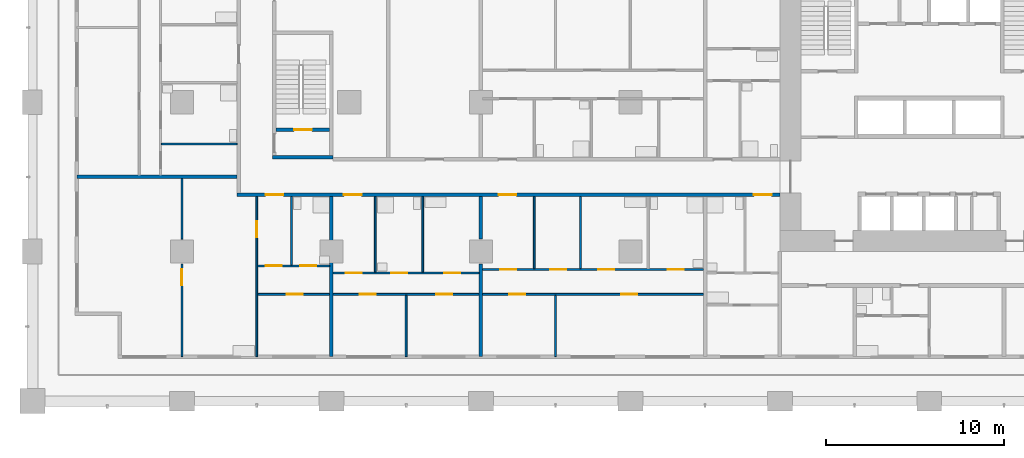
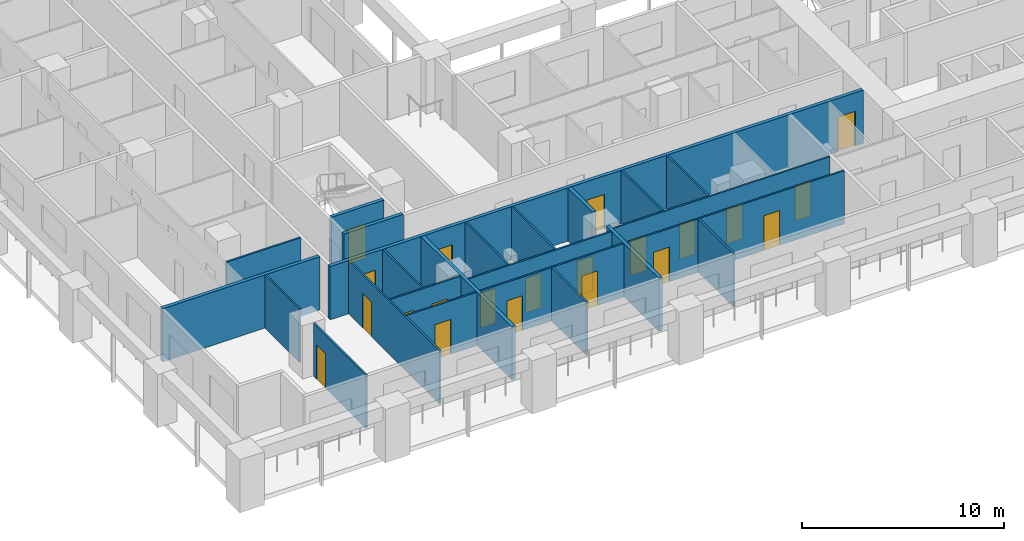
# One storey, part 2 of 19: 22 walls, 21 doors, 21 openings.
"""IFC4 building model written with IfcOpenShell, lengths in metres."""

from ifc_helpers import new_model, si_unit, direction, frame, frame_2d, origin, place, context, subcontext, project, spatial, rectangle, extrude, material, layer, layer_set, type_object, element, fill, save


model = new_model("IFC4")

# Units and contexts
model_context = context("Model", 3, precision=1e-05, world=origin(), true_north=direction((0.0, 1.0)))
body_context = subcontext(model_context, "Body", "Model", "MODEL_VIEW")
ifc_project = project(units=[si_unit("LENGTHUNIT", "METRE"), si_unit("AREAUNIT", "SQUARE_METRE"), si_unit("VOLUMEUNIT", "CUBIC_METRE"), si_unit("PLANEANGLEUNIT", "RADIAN"), si_unit("MASSUNIT", "GRAM", prefix="KILO")], contexts=[model_context])

# Site, building, storey
site_placement = place(None, origin())
site = spatial("IfcSite", under=ifc_project, at=site_placement, CompositionType="ELEMENT")
building_placement = place(site_placement, origin())
building = spatial("IfcBuilding", under=site, at=building_placement, Name="Vermilion Gate Residences", CompositionType="ELEMENT")
storey_placement = place(building_placement, frame((0.0, 0.0, 53.199951171875)))
storey = spatial("IfcBuildingStorey", under=building, at=storey_placement, Name="L12", CompositionType="ELEMENT", Elevation=53.199951171875)

# Wall, openings, doors
ifc_material_1 = material(Name="Plasterboard on steel studs", Category="steel")
ifc_layer_1 = layer(ifc_material_1, 0.10009765625)
ifc_layer_set_1 = layer_set([ifc_layer_1], Name="PARTITION 100")
wall_type_1 = type_object("IfcWallType", Name="PARTITION 100", PredefinedType="PARTITIONING", material=ifc_layer_set_1)
wall_1_placement = place(storey_placement, frame((12.64990234375, 6.0, 0.0), z_axis=(0.0, 0.0, 1.0), x_axis=(1.0, 0.0, 0.0)))
wall_1 = element("IfcWall", 1, at=wall_1_placement, inside=storey, type_object=wall_type_1, Name="Partition", PredefinedType="PARTITIONING", context=body_context, shape_type="SweptSolid", body=[
    extrude(rectangle(XDim=25.050048828125, YDim=0.10009765625, at=frame_2d((12.52490234375, 0.0))), origin(), (0.0, 0.0, 1.0), 3.219970703125),
])
opening_1_placement = place(wall_1_placement, frame((1.64990234375, 0.0, 0.0)))
opening_1 = element("IfcOpeningElement", 2, at=opening_1_placement, cuts=wall_1, Name="Opening DA10004", PredefinedType="OPENING", context=body_context, shape_type="SweptSolid", body=[
    extrude(rectangle(XDim=0.89990234375, YDim=2.10009765625, at=frame_2d((0.449951171875, 1.050048828125))), frame((0.0, 0.06005859375, 0.0), z_axis=(0.0, -1.0, 0.0), x_axis=(1.0, 0.0, 0.0)), (0.0, 0.0, 1.0), 0.1201171875),
])
opening_2_placement = place(wall_1_placement, frame((5.75, 0.0, 0.0)))
opening_2 = element("IfcOpeningElement", 3, at=opening_2_placement, cuts=wall_1, Name="Opening DA10005", PredefinedType="OPENING", context=body_context, shape_type="SweptSolid", body=[
    extrude(rectangle(XDim=0.89990234375, YDim=2.10009765625, at=frame_2d((0.449951171875, 1.050048828125))), frame((0.0, 0.06005859375, 0.0), z_axis=(0.0, -1.0, 0.0), x_axis=(1.0, 0.0, 0.0)), (0.0, 0.0, 1.0), 0.1201171875),
])
opening_3_placement = place(wall_1_placement, frame((10.050048828125, 0.0, 0.0)))
opening_3 = element("IfcOpeningElement", 4, at=opening_3_placement, cuts=wall_1, Name="Opening DA10006", PredefinedType="OPENING", context=body_context, shape_type="SweptSolid", body=[
    extrude(rectangle(XDim=0.89990234375, YDim=2.10009765625, at=frame_2d((0.449951171875, 1.050048828125))), frame((0.0, 0.06005859375, 0.0), z_axis=(0.0, -1.0, 0.0), x_axis=(1.0, 0.0, 0.0)), (0.0, 0.0, 1.0), 0.1201171875),
])
opening_4_placement = place(wall_1_placement, frame((14.14990234375, 0.0, 0.0)))
opening_4 = element("IfcOpeningElement", 5, at=opening_4_placement, cuts=wall_1, Name="Opening DA10007", PredefinedType="OPENING", context=body_context, shape_type="SweptSolid", body=[
    extrude(rectangle(XDim=0.89990234375, YDim=2.10009765625, at=frame_2d((0.449951171875, 1.050048828125))), frame((0.0, 0.06005859375, 0.0), z_axis=(0.0, -1.0, 0.0), x_axis=(1.0, 0.0, 0.0)), (0.0, 0.0, 1.0), 0.1201171875),
])
opening_5_placement = place(wall_1_placement, frame((20.449951171875, 0.0, 0.0)))
opening_5 = element("IfcOpeningElement", 6, at=opening_5_placement, cuts=wall_1, Name="Opening DA10008", PredefinedType="OPENING", context=body_context, shape_type="SweptSolid", body=[
    extrude(rectangle(XDim=0.89990234375, YDim=2.10009765625, at=frame_2d((0.449951171875, 1.050048828125))), frame((0.0, 0.06005859375, 0.0), z_axis=(0.0, -1.0, 0.0), x_axis=(1.0, 0.0, 0.0)), (0.0, 0.0, 1.0), 0.1201171875),
])
ifc_material_2 = material(Name="Timber", Category="wood")
door_type_1 = type_object("IfcDoorType", Name="INTERIOR DOOR 900 X 2100", OperationType="SINGLE_SWING_LEFT", PredefinedType="DOOR", material=ifc_material_2)
door_1_placement = place(opening_1_placement, frame((0.89990234375, 0.0, 0.0), z_axis=(0.0, 0.0, 1.0), x_axis=(-1.0, 0.0, 0.0)))
door_1 = element("IfcDoor", 7, at=door_1_placement, inside=storey, type_object=door_type_1, Name="Interior door", OperationType="SINGLE_SWING_LEFT", OverallHeight=2.10009765625, OverallWidth=0.89990234375, PredefinedType="DOOR", context=body_context, shape_type="SweptSolid", body=[
    extrude(rectangle(XDim=0.89990234375, YDim=2.10009765625, at=frame_2d((0.449951171875, 1.050048828125))), frame((0.0, 0.02490234375, 0.0), z_axis=(0.0, -1.0, 0.0), x_axis=(1.0, 0.0, 0.0)), (0.0, 0.0, 1.0), 0.050048828125),
])
fill(opening_1, door_1)
door_2_placement = place(opening_2_placement, frame((0.89990234375, 0.0, 0.0), z_axis=(0.0, 0.0, 1.0), x_axis=(-1.0, 0.0, 0.0)))
door_2 = element("IfcDoor", 8, at=door_2_placement, inside=storey, type_object=door_type_1, Name="Interior door", OperationType="SINGLE_SWING_RIGHT", OverallHeight=2.10009765625, OverallWidth=0.89990234375, PredefinedType="DOOR", context=body_context, shape_type="SweptSolid", body=[
    extrude(rectangle(XDim=0.89990234375, YDim=2.10009765625, at=frame_2d((0.449951171875, 1.050048828125))), frame((0.0, 0.02490234375, 0.0), z_axis=(0.0, -1.0, 0.0), x_axis=(1.0, 0.0, 0.0)), (0.0, 0.0, 1.0), 0.050048828125),
])
fill(opening_2, door_2)
door_3_placement = place(opening_3_placement, frame((0.89990234375, 0.0, 0.0), z_axis=(0.0, 0.0, 1.0), x_axis=(-1.0, 0.0, 0.0)))
door_3 = element("IfcDoor", 9, at=door_3_placement, inside=storey, type_object=door_type_1, Name="Interior door", OperationType="SINGLE_SWING_LEFT", OverallHeight=2.10009765625, OverallWidth=0.89990234375, PredefinedType="DOOR", context=body_context, shape_type="SweptSolid", body=[
    extrude(rectangle(XDim=0.89990234375, YDim=2.10009765625, at=frame_2d((0.449951171875, 1.050048828125))), frame((0.0, 0.02490234375, 0.0), z_axis=(0.0, -1.0, 0.0), x_axis=(1.0, 0.0, 0.0)), (0.0, 0.0, 1.0), 0.050048828125),
])
fill(opening_3, door_3)
door_4_placement = place(opening_4_placement, frame((0.89990234375, 0.0, 0.0), z_axis=(0.0, 0.0, 1.0), x_axis=(-1.0, 0.0, 0.0)))
door_4 = element("IfcDoor", 10, at=door_4_placement, inside=storey, type_object=door_type_1, Name="Interior door", OperationType="SINGLE_SWING_RIGHT", OverallHeight=2.10009765625, OverallWidth=0.89990234375, PredefinedType="DOOR", context=body_context, shape_type="SweptSolid", body=[
    extrude(rectangle(XDim=0.89990234375, YDim=2.10009765625, at=frame_2d((0.449951171875, 1.050048828125))), frame((0.0, 0.02490234375, 0.0), z_axis=(0.0, -1.0, 0.0), x_axis=(1.0, 0.0, 0.0)), (0.0, 0.0, 1.0), 0.050048828125),
])
fill(opening_4, door_4)
door_5_placement = place(opening_5_placement, frame((0.89990234375, 0.0, 0.0), z_axis=(0.0, 0.0, 1.0), x_axis=(-1.0, 0.0, 0.0)))
door_5 = element("IfcDoor", 11, at=door_5_placement, inside=storey, type_object=door_type_1, Name="Interior door", OperationType="SINGLE_SWING_RIGHT", OverallHeight=2.10009765625, OverallWidth=0.89990234375, PredefinedType="DOOR", context=body_context, shape_type="SweptSolid", body=[
    extrude(rectangle(XDim=0.89990234375, YDim=2.10009765625, at=frame_2d((0.449951171875, 1.050048828125))), frame((0.0, 0.02490234375, 0.0), z_axis=(0.0, -1.0, 0.0), x_axis=(1.0, 0.0, 0.0)), (0.0, 0.0, 1.0), 0.050048828125),
])
fill(opening_5, door_5)

wall_2_placement = place(storey_placement, frame((16.89990234375, 7.199951171875, 0.0), z_axis=(0.0, 0.0, 1.0), x_axis=(1.0, 0.0, 0.0)))
wall_2 = element("IfcWall", 12, at=wall_2_placement, inside=storey, type_object=wall_type_1, Name="Partition", PredefinedType="PARTITIONING", context=body_context, shape_type="SweptSolid", body=[
    extrude(rectangle(XDim=8.2001953125, YDim=0.10009765625, at=frame_2d((4.10009765625, 0.0))), origin(), (0.0, 0.0, 1.0), 3.219970703125),
])
opening_6_placement = place(wall_2_placement, frame((0.699951171875, 0.0, 0.0)))
opening_6 = element("IfcOpeningElement", 13, at=opening_6_placement, cuts=wall_2, Name="Opening DA10013", PredefinedType="OPENING", context=body_context, shape_type="SweptSolid", body=[
    extrude(rectangle(XDim=0.89990234375, YDim=2.10009765625, at=frame_2d((0.449951171875, 1.050048828125))), frame((0.0, 0.06005859375, 0.0), z_axis=(0.0, -1.0, 0.0), x_axis=(1.0, 0.0, 0.0)), (0.0, 0.0, 1.0), 0.1201171875),
])
opening_7_placement = place(wall_2_placement, frame((3.26708984375, 0.0, 0.0)))
opening_7 = element("IfcOpeningElement", 14, at=opening_7_placement, cuts=wall_2, Name="Opening DA10014", PredefinedType="OPENING", context=body_context, shape_type="SweptSolid", body=[
    extrude(rectangle(XDim=0.89990234375, YDim=2.10009765625, at=frame_2d((0.449951171875, 1.050048828125))), frame((0.0, 0.06005859375, 0.0), z_axis=(0.0, -1.0, 0.0), x_axis=(1.0, 0.0, 0.0)), (0.0, 0.0, 1.0), 0.1201171875),
])
opening_8_placement = place(wall_2_placement, frame((6.23291015625, 0.0, 0.0)))
opening_8 = element("IfcOpeningElement", 15, at=opening_8_placement, cuts=wall_2, Name="Opening DA10015", PredefinedType="OPENING", context=body_context, shape_type="SweptSolid", body=[
    extrude(rectangle(XDim=0.89990234375, YDim=2.10009765625, at=frame_2d((0.449951171875, 1.050048828125))), frame((0.0, 0.06005859375, 0.0), z_axis=(0.0, -1.0, 0.0), x_axis=(1.0, 0.0, 0.0)), (0.0, 0.0, 1.0), 0.1201171875),
])
door_6_placement = place(opening_6_placement, frame((0.89990234375, 0.0, 0.0), z_axis=(0.0, 0.0, 1.0), x_axis=(-1.0, 0.0, 0.0)))
door_6 = element("IfcDoor", 16, at=door_6_placement, inside=storey, type_object=door_type_1, Name="Interior door", OperationType="SINGLE_SWING_RIGHT", OverallHeight=2.10009765625, OverallWidth=0.89990234375, PredefinedType="DOOR", context=body_context, shape_type="SweptSolid", body=[
    extrude(rectangle(XDim=0.89990234375, YDim=2.10009765625, at=frame_2d((0.449951171875, 1.050048828125))), frame((0.0, 0.02490234375, 0.0), z_axis=(0.0, -1.0, 0.0), x_axis=(1.0, 0.0, 0.0)), (0.0, 0.0, 1.0), 0.050048828125),
])
fill(opening_6, door_6)
door_7_placement = place(opening_7_placement, origin())
door_7 = element("IfcDoor", 17, at=door_7_placement, inside=storey, type_object=door_type_1, Name="Interior door", OperationType="SINGLE_SWING_LEFT", OverallHeight=2.10009765625, OverallWidth=0.89990234375, PredefinedType="DOOR", context=body_context, shape_type="SweptSolid", body=[
    extrude(rectangle(XDim=0.89990234375, YDim=2.10009765625, at=frame_2d((0.449951171875, 1.050048828125))), frame((0.0, 0.02490234375, 0.0), z_axis=(0.0, -1.0, 0.0), x_axis=(1.0, 0.0, 0.0)), (0.0, 0.0, 1.0), 0.050048828125),
])
fill(opening_7, door_7)
door_8_placement = place(opening_8_placement, origin())
door_8 = element("IfcDoor", 18, at=door_8_placement, inside=storey, type_object=door_type_1, Name="Interior door", OperationType="SINGLE_SWING_RIGHT", OverallHeight=2.10009765625, OverallWidth=0.89990234375, PredefinedType="DOOR", context=body_context, shape_type="SweptSolid", body=[
    extrude(rectangle(XDim=0.89990234375, YDim=2.10009765625, at=frame_2d((0.449951171875, 1.050048828125))), frame((0.0, 0.02490234375, 0.0), z_axis=(0.0, -1.0, 0.0), x_axis=(1.0, 0.0, 0.0)), (0.0, 0.0, 1.0), 0.050048828125),
])
fill(opening_8, door_8)

wall_3_placement = place(storey_placement, frame((25.300048828125, 7.39990234375, 0.0), z_axis=(0.0, 0.0, 1.0), x_axis=(1.0, 0.0, 0.0)))
wall_3 = element("IfcWall", 19, at=wall_3_placement, inside=storey, type_object=wall_type_1, Name="Partition", PredefinedType="PARTITIONING", context=body_context, shape_type="SweptSolid", body=[
    extrude(rectangle(XDim=12.39990234375, YDim=0.10009765625, at=frame_2d((6.199951171875, 0.0))), origin(), (0.0, 0.0, 1.0), 3.219970703125),
])
opening_9_placement = place(wall_3_placement, frame((1.0, 0.0, 0.0)))
opening_9 = element("IfcOpeningElement", 20, at=opening_9_placement, cuts=wall_3, Name="Opening DA10018", PredefinedType="OPENING", context=body_context, shape_type="SweptSolid", body=[
    extrude(rectangle(XDim=0.89990234375, YDim=2.10009765625, at=frame_2d((0.449951171875, 1.050048828125))), frame((0.0, 0.06005859375, 0.0), z_axis=(0.0, -1.0, 0.0), x_axis=(1.0, 0.0, 0.0)), (0.0, 0.0, 1.0), 0.1201171875),
])
opening_10_placement = place(wall_3_placement, frame((3.800048828125, 0.0, 0.0)))
opening_10 = element("IfcOpeningElement", 21, at=opening_10_placement, cuts=wall_3, Name="Opening DA10019", PredefinedType="OPENING", context=body_context, shape_type="SweptSolid", body=[
    extrude(rectangle(XDim=0.89990234375, YDim=2.10009765625, at=frame_2d((0.449951171875, 1.050048828125))), frame((0.0, 0.06005859375, 0.0), z_axis=(0.0, -1.0, 0.0), x_axis=(1.0, 0.0, 0.0)), (0.0, 0.0, 1.0), 0.1201171875),
])
opening_11_placement = place(wall_3_placement, frame((6.5, 0.0, 0.0)))
opening_11 = element("IfcOpeningElement", 22, at=opening_11_placement, cuts=wall_3, Name="Opening DA10020", PredefinedType="OPENING", context=body_context, shape_type="SweptSolid", body=[
    extrude(rectangle(XDim=0.89990234375, YDim=2.10009765625, at=frame_2d((0.449951171875, 1.050048828125))), frame((0.0, 0.06005859375, 0.0), z_axis=(0.0, -1.0, 0.0), x_axis=(1.0, 0.0, 0.0)), (0.0, 0.0, 1.0), 0.1201171875),
])
opening_12_placement = place(wall_3_placement, frame((10.39990234375, 0.0, 0.0)))
opening_12 = element("IfcOpeningElement", 23, at=opening_12_placement, cuts=wall_3, Name="Opening DA10021", PredefinedType="OPENING", context=body_context, shape_type="SweptSolid", body=[
    extrude(rectangle(XDim=0.89990234375, YDim=2.10009765625, at=frame_2d((0.449951171875, 1.050048828125))), frame((0.0, 0.06005859375, 0.0), z_axis=(0.0, -1.0, 0.0), x_axis=(1.0, 0.0, 0.0)), (0.0, 0.0, 1.0), 0.1201171875),
])
door_9_placement = place(opening_9_placement, origin())
door_9 = element("IfcDoor", 24, at=door_9_placement, inside=storey, type_object=door_type_1, Name="Interior door", OperationType="SINGLE_SWING_RIGHT", OverallHeight=2.10009765625, OverallWidth=0.89990234375, PredefinedType="DOOR", context=body_context, shape_type="SweptSolid", body=[
    extrude(rectangle(XDim=0.89990234375, YDim=2.10009765625, at=frame_2d((0.449951171875, 1.050048828125))), frame((0.0, 0.02490234375, 0.0), z_axis=(0.0, -1.0, 0.0), x_axis=(1.0, 0.0, 0.0)), (0.0, 0.0, 1.0), 0.050048828125),
])
fill(opening_9, door_9)
door_10_placement = place(opening_10_placement, origin())
door_10 = element("IfcDoor", 25, at=door_10_placement, inside=storey, type_object=door_type_1, Name="Interior door", OperationType="SINGLE_SWING_RIGHT", OverallHeight=2.10009765625, OverallWidth=0.89990234375, PredefinedType="DOOR", context=body_context, shape_type="SweptSolid", body=[
    extrude(rectangle(XDim=0.89990234375, YDim=2.10009765625, at=frame_2d((0.449951171875, 1.050048828125))), frame((0.0, 0.02490234375, 0.0), z_axis=(0.0, -1.0, 0.0), x_axis=(1.0, 0.0, 0.0)), (0.0, 0.0, 1.0), 0.050048828125),
])
fill(opening_10, door_10)
door_11_placement = place(opening_11_placement, origin())
door_11 = element("IfcDoor", 26, at=door_11_placement, inside=storey, type_object=door_type_1, Name="Interior door", OperationType="SINGLE_SWING_LEFT", OverallHeight=2.10009765625, OverallWidth=0.89990234375, PredefinedType="DOOR", context=body_context, shape_type="SweptSolid", body=[
    extrude(rectangle(XDim=0.89990234375, YDim=2.10009765625, at=frame_2d((0.449951171875, 1.050048828125))), frame((0.0, 0.02490234375, 0.0), z_axis=(0.0, -1.0, 0.0), x_axis=(1.0, 0.0, 0.0)), (0.0, 0.0, 1.0), 0.050048828125),
])
fill(opening_11, door_11)
door_12_placement = place(opening_12_placement, origin())
door_12 = element("IfcDoor", 27, at=door_12_placement, inside=storey, type_object=door_type_1, Name="Interior door", OperationType="SINGLE_SWING_RIGHT", OverallHeight=2.10009765625, OverallWidth=0.89990234375, PredefinedType="DOOR", context=body_context, shape_type="SweptSolid", body=[
    extrude(rectangle(XDim=0.89990234375, YDim=2.10009765625, at=frame_2d((0.449951171875, 1.050048828125))), frame((0.0, 0.02490234375, 0.0), z_axis=(0.0, -1.0, 0.0), x_axis=(1.0, 0.0, 0.0)), (0.0, 0.0, 1.0), 0.050048828125),
])
fill(opening_12, door_12)

wall_4_placement = place(storey_placement, frame((12.64990234375, 7.60009765625, 0.0), z_axis=(0.0, 0.0, 1.0), x_axis=(1.0, 0.0, 0.0)))
wall_4 = element("IfcWall", 28, at=wall_4_placement, inside=storey, type_object=wall_type_1, Name="Partition", PredefinedType="PARTITIONING", context=body_context, shape_type="SweptSolid", body=[
    extrude(rectangle(XDim=4.050048828125, YDim=0.10009765625, at=frame_2d((2.02490234375, 0.0))), origin(), (0.0, 0.0, 1.0), 3.219970703125),
])
opening_13_placement = place(wall_4_placement, frame((0.449951171875, 0.0, 0.0)))
opening_13 = element("IfcOpeningElement", 29, at=opening_13_placement, cuts=wall_4, Name="Opening DA10022", PredefinedType="OPENING", context=body_context, shape_type="SweptSolid", body=[
    extrude(rectangle(XDim=0.89990234375, YDim=2.10009765625, at=frame_2d((0.449951171875, 1.050048828125))), frame((0.0, 0.06005859375, 0.0), z_axis=(0.0, -1.0, 0.0), x_axis=(1.0, 0.0, 0.0)), (0.0, 0.0, 1.0), 0.1201171875),
])
opening_14_placement = place(wall_4_placement, frame((2.409912109375, 0.0, 0.0)))
opening_14 = element("IfcOpeningElement", 30, at=opening_14_placement, cuts=wall_4, Name="Opening DA10023", PredefinedType="OPENING", context=body_context, shape_type="SweptSolid", body=[
    extrude(rectangle(XDim=0.89990234375, YDim=2.10009765625, at=frame_2d((0.449951171875, 1.050048828125))), frame((0.0, 0.06005859375, 0.0), z_axis=(0.0, -1.0, 0.0), x_axis=(1.0, 0.0, 0.0)), (0.0, 0.0, 1.0), 0.1201171875),
])
door_13_placement = place(opening_13_placement, frame((0.89990234375, 0.0, 0.0), z_axis=(0.0, 0.0, 1.0), x_axis=(-1.0, 0.0, 0.0)))
door_13 = element("IfcDoor", 31, at=door_13_placement, inside=storey, type_object=door_type_1, Name="Interior door", OperationType="SINGLE_SWING_RIGHT", OverallHeight=2.10009765625, OverallWidth=0.89990234375, PredefinedType="DOOR", context=body_context, shape_type="SweptSolid", body=[
    extrude(rectangle(XDim=0.89990234375, YDim=2.10009765625, at=frame_2d((0.449951171875, 1.050048828125))), frame((0.0, 0.02490234375, 0.0), z_axis=(0.0, -1.0, 0.0), x_axis=(1.0, 0.0, 0.0)), (0.0, 0.0, 1.0), 0.050048828125),
])
fill(opening_13, door_13)
door_14_placement = place(opening_14_placement, origin())
door_14 = element("IfcDoor", 32, at=door_14_placement, inside=storey, type_object=door_type_1, Name="Interior door", OperationType="SINGLE_SWING_RIGHT", OverallHeight=2.10009765625, OverallWidth=0.89990234375, PredefinedType="DOOR", context=body_context, shape_type="SweptSolid", body=[
    extrude(rectangle(XDim=0.89990234375, YDim=2.10009765625, at=frame_2d((0.449951171875, 1.050048828125))), frame((0.0, 0.02490234375, 0.0), z_axis=(0.0, -1.0, 0.0), x_axis=(1.0, 0.0, 0.0)), (0.0, 0.0, 1.0), 0.050048828125),
])
fill(opening_14, door_14)

# Wall
wall_5_placement = place(storey_placement, frame((7.25, 14.449951171875, 0.0), z_axis=(0.0, 0.0, 1.0), x_axis=(1.0, 0.0, 0.0)))
element("IfcWall", 33, at=wall_5_placement, inside=storey, type_object=wall_type_1, Name="Partition", PredefinedType="PARTITIONING", context=body_context, shape_type="SweptSolid", body=[
    extrude(rectangle(XDim=4.25, YDim=0.10009765625, at=frame_2d((2.125, 0.0))), origin(), (0.0, 0.0, 1.0), 3.219970703125),
])

# Wall, opening, door
wall_6_placement = place(storey_placement, frame((8.39990234375, 2.5, 0.0), z_axis=(0.0, 0.0, 1.0), x_axis=(0.0, 1.0, 0.0)))
wall_6 = element("IfcWall", 34, at=wall_6_placement, inside=storey, type_object=wall_type_1, Name="Partition", PredefinedType="PARTITIONING", context=body_context, shape_type="SweptSolid", body=[
    extrude(rectangle(XDim=5.199951171875, YDim=0.10009765625, at=frame_2d((2.60009765625, 0.0))), origin(), (0.0, 0.0, 1.0), 3.219970703125),
])
opening_15_placement = place(wall_6_placement, frame((4.0, 0.0, 0.0)))
opening_15 = element("IfcOpeningElement", 35, at=opening_15_placement, cuts=wall_6, Name="Opening DA10063", PredefinedType="OPENING", context=body_context, shape_type="SweptSolid", body=[
    extrude(rectangle(XDim=0.89990234375, YDim=2.10009765625, at=frame_2d((0.449951171875, 1.050048828125))), frame((0.0, 0.06005859375, 0.0), z_axis=(0.0, -1.0, 0.0), x_axis=(1.0, 0.0, 0.0)), (0.0, 0.0, 1.0), 0.1201171875),
])
door_15_placement = place(opening_15_placement, frame((0.89990234375, 0.0, 0.0), z_axis=(0.0, 0.0, 1.0), x_axis=(-1.0, 0.0, 0.0)))
door_15 = element("IfcDoor", 36, at=door_15_placement, inside=storey, type_object=door_type_1, Name="Interior door", OperationType="SINGLE_SWING_LEFT", OverallHeight=2.10009765625, OverallWidth=0.89990234375, PredefinedType="DOOR", context=body_context, shape_type="SweptSolid", body=[
    extrude(rectangle(XDim=0.89990234375, YDim=2.10009765625, at=frame_2d((0.449951171875, 1.050048828125))), frame((0.0, 0.02490234375, 0.0), z_axis=(0.0, -1.0, 0.0), x_axis=(1.0, 0.0, 0.0)), (0.0, 0.0, 1.0), 0.050048828125),
])
fill(opening_15, door_15)

# Wall
wall_7_placement = place(storey_placement, frame((8.39990234375, 9.10009765625, 0.0), z_axis=(0.0, 0.0, 1.0), x_axis=(0.0, 1.0, 0.0)))
element("IfcWall", 37, at=wall_7_placement, inside=storey, type_object=wall_type_1, Name="Partition", PredefinedType="PARTITIONING", context=body_context, shape_type="SweptSolid", body=[
    extrude(rectangle(XDim=3.39990234375, YDim=0.10009765625, at=frame_2d((1.699951171875, 0.0))), origin(), (0.0, 0.0, 1.0), 3.219970703125),
])

# Wall, opening, door
wall_8_placement = place(storey_placement, frame((12.60009765625, 2.5, 0.0), z_axis=(0.0, 0.0, 1.0), x_axis=(0.0, 1.0, 0.0)))
wall_8 = element("IfcWall", 38, at=wall_8_placement, inside=storey, type_object=wall_type_1, Name="Partition", PredefinedType="PARTITIONING", context=body_context, shape_type="SweptSolid", body=[
    extrude(rectangle(XDim=9.0, YDim=0.10009765625, at=frame_2d((4.5, 0.0))), origin(), (0.0, 0.0, 1.0), 3.219970703125),
])
opening_16_placement = place(wall_8_placement, frame((6.699951171875, 0.0, 0.0)))
opening_16 = element("IfcOpeningElement", 39, at=opening_16_placement, cuts=wall_8, Name="Opening DA10067", PredefinedType="OPENING", context=body_context, shape_type="SweptSolid", body=[
    extrude(rectangle(XDim=0.89990234375, YDim=2.10009765625, at=frame_2d((0.449951171875, 1.050048828125))), frame((0.0, 0.06005859375, 0.0), z_axis=(0.0, -1.0, 0.0), x_axis=(1.0, 0.0, 0.0)), (0.0, 0.0, 1.0), 0.1201171875),
])
door_16_placement = place(opening_16_placement, origin())
door_16 = element("IfcDoor", 40, at=door_16_placement, inside=storey, type_object=door_type_1, Name="Interior door", OperationType="SINGLE_SWING_RIGHT", OverallHeight=2.10009765625, OverallWidth=0.89990234375, PredefinedType="DOOR", context=body_context, shape_type="SweptSolid", body=[
    extrude(rectangle(XDim=0.89990234375, YDim=2.10009765625, at=frame_2d((0.449951171875, 1.050048828125))), frame((0.0, 0.02490234375, 0.0), z_axis=(0.0, -1.0, 0.0), x_axis=(1.0, 0.0, 0.0)), (0.0, 0.0, 1.0), 0.050048828125),
])
fill(opening_16, door_16)

# Walls
wall_9_placement = place(storey_placement, frame((14.56005859375, 7.64990234375, 0.0), z_axis=(0.0, 0.0, 1.0), x_axis=(0.0, 1.0, 0.0)))
element("IfcWall", 41, at=wall_9_placement, inside=storey, type_object=wall_type_1, Name="Partition", PredefinedType="PARTITIONING", context=body_context, shape_type="SweptSolid", body=[
    extrude(rectangle(XDim=3.85009765625, YDim=0.10009765625, at=frame_2d((1.925048828125, 0.0))), origin(), (0.0, 0.0, 1.0), 3.219970703125),
])
wall_10_placement = place(storey_placement, frame((19.26708984375, 7.25, 0.0), z_axis=(0.0, 0.0, 1.0), x_axis=(0.0, 1.0, 0.0)))
element("IfcWall", 42, at=wall_10_placement, inside=storey, type_object=wall_type_1, Name="Partition", PredefinedType="PARTITIONING", context=body_context, shape_type="SweptSolid", body=[
    extrude(rectangle(XDim=4.25, YDim=0.10009765625, at=frame_2d((2.125, 0.0))), origin(), (0.0, 0.0, 1.0), 3.219970703125),
])
wall_11_placement = place(storey_placement, frame((21.0, 2.5, 0.0), z_axis=(0.0, 0.0, 1.0), x_axis=(0.0, 1.0, 0.0)))
element("IfcWall", 43, at=wall_11_placement, inside=storey, type_object=wall_type_1, Name="Partition", PredefinedType="PARTITIONING", context=body_context, shape_type="SweptSolid", body=[
    extrude(rectangle(XDim=3.449951171875, YDim=0.10009765625, at=frame_2d((1.72509765625, 0.0))), origin(), (0.0, 0.0, 1.0), 3.219970703125),
])
wall_12_placement = place(storey_placement, frame((21.93310546875, 7.25, 0.0), z_axis=(0.0, 0.0, 1.0), x_axis=(0.0, 1.0, 0.0)))
element("IfcWall", 44, at=wall_12_placement, inside=storey, type_object=wall_type_1, Name="Partition", PredefinedType="PARTITIONING", context=body_context, shape_type="SweptSolid", body=[
    extrude(rectangle(XDim=4.25, YDim=0.10009765625, at=frame_2d((2.125, 0.0))), origin(), (0.0, 0.0, 1.0), 3.219970703125),
])
wall_13_placement = place(storey_placement, frame((28.199951171875, 7.449951171875, 0.0), z_axis=(0.0, 0.0, 1.0), x_axis=(0.0, 1.0, 0.0)))
element("IfcWall", 45, at=wall_13_placement, inside=storey, type_object=wall_type_1, Name="Partition", PredefinedType="PARTITIONING", context=body_context, shape_type="SweptSolid", body=[
    extrude(rectangle(XDim=4.050048828125, YDim=0.10009765625, at=frame_2d((2.02490234375, 0.0))), origin(), (0.0, 0.0, 1.0), 3.219970703125),
])
wall_14_placement = place(storey_placement, frame((29.39990234375, 2.5, 0.0), z_axis=(0.0, 0.0, 1.0), x_axis=(0.0, 1.0, 0.0)))
element("IfcWall", 46, at=wall_14_placement, inside=storey, type_object=wall_type_1, Name="Partition", PredefinedType="PARTITIONING", context=body_context, shape_type="SweptSolid", body=[
    extrude(rectangle(XDim=3.449951171875, YDim=0.10009765625, at=frame_2d((1.72509765625, 0.0))), origin(), (0.0, 0.0, 1.0), 3.219970703125),
])
wall_15_placement = place(storey_placement, frame((30.800048828125, 7.449951171875, 0.0), z_axis=(0.0, 0.0, 1.0), x_axis=(0.0, 1.0, 0.0)))
element("IfcWall", 47, at=wall_15_placement, inside=storey, type_object=wall_type_1, Name="Partition", PredefinedType="PARTITIONING", context=body_context, shape_type="SweptSolid", body=[
    extrude(rectangle(XDim=4.050048828125, YDim=0.10009765625, at=frame_2d((2.02490234375, 0.0))), origin(), (0.0, 0.0, 1.0), 3.219970703125),
])

# Wall, openings, doors
ifc_material_3 = material(Name="Fire-rated plasterboard on steel studs", Category="steel")
ifc_layer_2 = layer(ifc_material_3, 0.199951171875)
ifc_layer_set_2 = layer_set([ifc_layer_2], Name="PARTY WALL 200 EI 120")
wall_type_2 = type_object("IfcWallType", Name="PARTY WALL 200 EI 120", PredefinedType="PARTITIONING", material=ifc_layer_set_2)
wall_16_placement = place(storey_placement, frame((11.5, 11.60009765625, 0.0), z_axis=(0.0, 0.0, 1.0), x_axis=(1.0, 0.0, 0.0)))
wall_16 = element("IfcWall", 48, at=wall_16_placement, inside=storey, type_object=wall_type_2, Name="Party and corridor wall", PredefinedType="PARTITIONING", context=body_context, shape_type="SweptSolid", body=[
    extrude(rectangle(XDim=30.5, YDim=0.199951171875, at=frame_2d((15.25, 0.0))), origin(), (0.0, 0.0, 1.0), 3.219970703125),
])
opening_17_placement = place(wall_16_placement, frame((1.60009765625, 0.0, 0.0)))
opening_17 = element("IfcOpeningElement", 49, at=opening_17_placement, cuts=wall_16, Name="Opening DA10024", PredefinedType="OPENING", context=body_context, shape_type="SweptSolid", body=[
    extrude(rectangle(XDim=1.0, YDim=2.10009765625, at=frame_2d((0.5, 1.050048828125))), frame((0.0, 0.10986328125, 0.0), z_axis=(0.0, -1.0, 0.0), x_axis=(1.0, 0.0, 0.0)), (0.0, 0.0, 1.0), 0.219970703125),
])
opening_18_placement = place(wall_16_placement, frame((6.0, 0.0, 0.0)))
opening_18 = element("IfcOpeningElement", 50, at=opening_18_placement, cuts=wall_16, Name="Opening DA10025", PredefinedType="OPENING", context=body_context, shape_type="SweptSolid", body=[
    extrude(rectangle(XDim=1.0, YDim=2.10009765625, at=frame_2d((0.5, 1.050048828125))), frame((0.0, 0.10986328125, 0.0), z_axis=(0.0, -1.0, 0.0), x_axis=(1.0, 0.0, 0.0)), (0.0, 0.0, 1.0), 0.219970703125),
])
opening_19_placement = place(wall_16_placement, frame((14.699951171875, 0.0, 0.0)))
opening_19 = element("IfcOpeningElement", 51, at=opening_19_placement, cuts=wall_16, Name="Opening DA10026", PredefinedType="OPENING", context=body_context, shape_type="SweptSolid", body=[
    extrude(rectangle(XDim=1.0, YDim=2.10009765625, at=frame_2d((0.5, 1.050048828125))), frame((0.0, 0.10986328125, 0.0), z_axis=(0.0, -1.0, 0.0), x_axis=(1.0, 0.0, 0.0)), (0.0, 0.0, 1.0), 0.219970703125),
])
opening_20_placement = place(wall_16_placement, frame((29.0400390625, 0.0, 0.0)))
opening_20 = element("IfcOpeningElement", 52, at=opening_20_placement, cuts=wall_16, Name="Opening DA10027", PredefinedType="OPENING", context=body_context, shape_type="SweptSolid", body=[
    extrude(rectangle(XDim=1.0, YDim=2.10009765625, at=frame_2d((0.5, 1.050048828125))), frame((0.0, 0.10986328125, 0.0), z_axis=(0.0, -1.0, 0.0), x_axis=(1.0, 0.0, 0.0)), (0.0, 0.0, 1.0), 0.219970703125),
])
ifc_material_4 = material(Name="Steel", Category="steel")
door_type_2 = type_object("IfcDoorType", Name="ENTRANCE DOOR 1000 X 2100 FD30", OperationType="SINGLE_SWING_LEFT", PredefinedType="DOOR", material=ifc_material_4)
door_17_placement = place(opening_17_placement, frame((1.0, 0.0, 0.0), z_axis=(0.0, 0.0, 1.0), x_axis=(-1.0, 0.0, 0.0)))
door_17 = element("IfcDoor", 53, at=door_17_placement, inside=storey, type_object=door_type_2, Name="Entrance door", OperationType="SINGLE_SWING_LEFT", OverallHeight=2.10009765625, OverallWidth=1.0, PredefinedType="DOOR", context=body_context, shape_type="SweptSolid", body=[
    extrude(rectangle(XDim=1.0, YDim=2.10009765625, at=frame_2d((0.5, 1.050048828125))), frame((0.0, 0.02490234375, 0.0), z_axis=(0.0, -1.0, 0.0), x_axis=(1.0, 0.0, 0.0)), (0.0, 0.0, 1.0), 0.050048828125),
])
fill(opening_17, door_17)
door_18_placement = place(opening_18_placement, frame((1.0, 0.0, 0.0), z_axis=(0.0, 0.0, 1.0), x_axis=(-1.0, 0.0, 0.0)))
door_18 = element("IfcDoor", 54, at=door_18_placement, inside=storey, type_object=door_type_2, Name="Entrance door", OperationType="SINGLE_SWING_RIGHT", OverallHeight=2.10009765625, OverallWidth=1.0, PredefinedType="DOOR", context=body_context, shape_type="SweptSolid", body=[
    extrude(rectangle(XDim=1.0, YDim=2.10009765625, at=frame_2d((0.5, 1.050048828125))), frame((0.0, 0.02490234375, 0.0), z_axis=(0.0, -1.0, 0.0), x_axis=(1.0, 0.0, 0.0)), (0.0, 0.0, 1.0), 0.050048828125),
])
fill(opening_18, door_18)
door_19_placement = place(opening_19_placement, frame((1.0, 0.0, 0.0), z_axis=(0.0, 0.0, 1.0), x_axis=(-1.0, 0.0, 0.0)))
door_19 = element("IfcDoor", 55, at=door_19_placement, inside=storey, type_object=door_type_2, Name="Entrance door", OperationType="SINGLE_SWING_RIGHT", OverallHeight=2.10009765625, OverallWidth=1.0, PredefinedType="DOOR", context=body_context, shape_type="SweptSolid", body=[
    extrude(rectangle(XDim=1.0, YDim=2.10009765625, at=frame_2d((0.5, 1.050048828125))), frame((0.0, 0.02490234375, 0.0), z_axis=(0.0, -1.0, 0.0), x_axis=(1.0, 0.0, 0.0)), (0.0, 0.0, 1.0), 0.050048828125),
])
fill(opening_19, door_19)
door_20_placement = place(opening_20_placement, frame((1.0, 0.0, 0.0), z_axis=(0.0, 0.0, 1.0), x_axis=(-1.0, 0.0, 0.0)))
door_20 = element("IfcDoor", 56, at=door_20_placement, inside=storey, type_object=door_type_2, Name="Entrance door", OperationType="SINGLE_SWING_RIGHT", OverallHeight=2.10009765625, OverallWidth=1.0, PredefinedType="DOOR", context=body_context, shape_type="SweptSolid", body=[
    extrude(rectangle(XDim=1.0, YDim=2.10009765625, at=frame_2d((0.5, 1.050048828125))), frame((0.0, 0.02490234375, 0.0), z_axis=(0.0, -1.0, 0.0), x_axis=(1.0, 0.0, 0.0)), (0.0, 0.0, 1.0), 0.050048828125),
])
fill(opening_20, door_20)

# Walls
for number, where, z_axis, x_axis, name in (
    (57, (2.5, 12.60009765625, 0.0), (0.0, 0.0, 1.0), (1.0, 0.0, 0.0), "Party and corridor wall"),
    (58, (16.800048828125, 2.5, 0.0), (0.0, 0.0, 1.0), (0.0, 1.0, 0.0), "Party and corridor wall"),
):
    element("IfcWall", number, at=place(storey_placement, frame(where, z_axis=z_axis, x_axis=x_axis)), inside=storey, type_object=wall_type_2, Name=name, PredefinedType="PARTITIONING", context=body_context, shape_type="SweptSolid", body=[
        extrude(rectangle(XDim=9.0, YDim=0.199951171875, at=frame_2d((4.5, 0.0))), origin(), (0.0, 0.0, 1.0), 3.219970703125),
    ])
wall_17_placement = place(storey_placement, frame((25.199951171875, 2.5, 0.0), z_axis=(0.0, 0.0, 1.0), x_axis=(0.0, 1.0, 0.0)))
element("IfcWall", 59, at=wall_17_placement, inside=storey, type_object=wall_type_2, Name="Party and corridor wall", PredefinedType="PARTITIONING", context=body_context, shape_type="SweptSolid", body=[
    extrude(rectangle(XDim=5.199951171875, YDim=0.199951171875, at=frame_2d((2.60009765625, 0.0))), origin(), (0.0, 0.0, 1.0), 3.219970703125),
])
wall_18_placement = place(storey_placement, frame((25.199951171875, 9.10009765625, 0.0), z_axis=(0.0, 0.0, 1.0), x_axis=(0.0, 1.0, 0.0)))
element("IfcWall", 60, at=wall_18_placement, inside=storey, type_object=wall_type_2, Name="Party and corridor wall", PredefinedType="PARTITIONING", context=body_context, shape_type="SweptSolid", body=[
    extrude(rectangle(XDim=2.39990234375, YDim=0.199951171875, at=frame_2d((1.199951171875, 0.0))), origin(), (0.0, 0.0, 1.0), 3.219970703125),
])
ifc_material_5 = material(Name="Concrete C60", Category="concrete")
ifc_layer_3 = layer(ifc_material_5, 0.199951171875)
ifc_layer_set_3 = layer_set([ifc_layer_3], Name="RC CORE INTERNAL WALL 200 C60")
wall_type_3 = type_object("IfcWallType", Name="RC CORE INTERNAL WALL 200 C60", PredefinedType="SHEAR", material=ifc_layer_set_3)
wall_19_placement = place(storey_placement, frame((13.5, 13.699951171875, 0.0), z_axis=(0.0, 0.0, 1.0), x_axis=(1.0, 0.0, 0.0)))
element("IfcWall", 61, at=wall_19_placement, inside=storey, type_object=wall_type_3, Name="Core internal wall C12-S", PredefinedType="SHEAR", context=body_context, shape_type="SweptSolid", body=[
    extrude(rectangle(XDim=3.39990234375, YDim=0.199951171875, at=frame_2d((1.699951171875, 0.0))), origin(), (0.0, 0.0, 1.0), 3.219970703125),
])

# Wall, opening, door
wall_20_placement = place(storey_placement, frame((13.699951171875, 15.25, 0.0), z_axis=(0.0, 0.0, 1.0), x_axis=(1.0, 0.0, 0.0)))
wall_20 = element("IfcWall", 62, at=wall_20_placement, inside=storey, type_object=wall_type_3, Name="Core internal wall C12-P", PredefinedType="SHEAR", context=body_context, shape_type="SweptSolid", body=[
    extrude(rectangle(XDim=3.0, YDim=0.199951171875, at=frame_2d((1.5, 0.0))), origin(), (0.0, 0.0, 1.0), 3.219970703125),
])
opening_21_placement = place(wall_20_placement, frame((1.0, 0.0, 0.0)))
opening_21 = element("IfcOpeningElement", 63, at=opening_21_placement, cuts=wall_20, Name="Opening DK12202", PredefinedType="OPENING", context=body_context, shape_type="SweptSolid", body=[
    extrude(rectangle(XDim=1.0, YDim=2.10009765625, at=frame_2d((0.5, 1.050048828125))), frame((0.0, 0.10986328125, 0.0), z_axis=(0.0, -1.0, 0.0), x_axis=(1.0, 0.0, 0.0)), (0.0, 0.0, 1.0), 0.219970703125),
])
ifc_material_6 = material(Name="Steel", Category="steel")
door_type_3 = type_object("IfcDoorType", Name="FIRE DOOR FD60 1000 X 2100", OperationType="SINGLE_SWING_LEFT", PredefinedType="DOOR", material=ifc_material_6)
door_21_placement = place(opening_21_placement, origin())
door_21 = element("IfcDoor", 64, at=door_21_placement, inside=storey, type_object=door_type_3, Name="Stair door C12", OperationType="SINGLE_SWING_LEFT", OverallHeight=2.10009765625, OverallWidth=1.0, PredefinedType="DOOR", context=body_context, shape_type="SweptSolid", body=[
    extrude(rectangle(XDim=1.0, YDim=2.10009765625, at=frame_2d((0.5, 1.050048828125))), frame((0.0, 0.02490234375, 0.0), z_axis=(0.0, -1.0, 0.0), x_axis=(1.0, 0.0, 0.0)), (0.0, 0.0, 1.0), 0.050048828125),
])
fill(opening_21, door_21)

save(model, "model.ifc")
